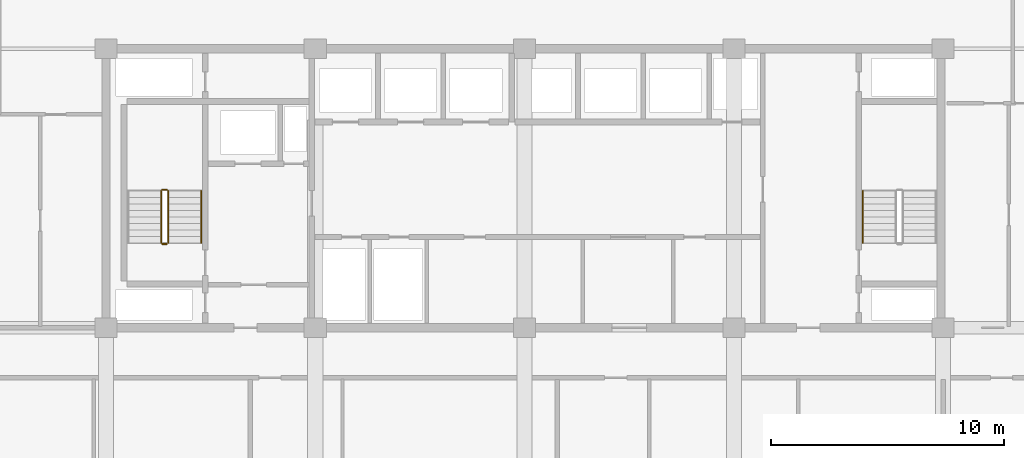
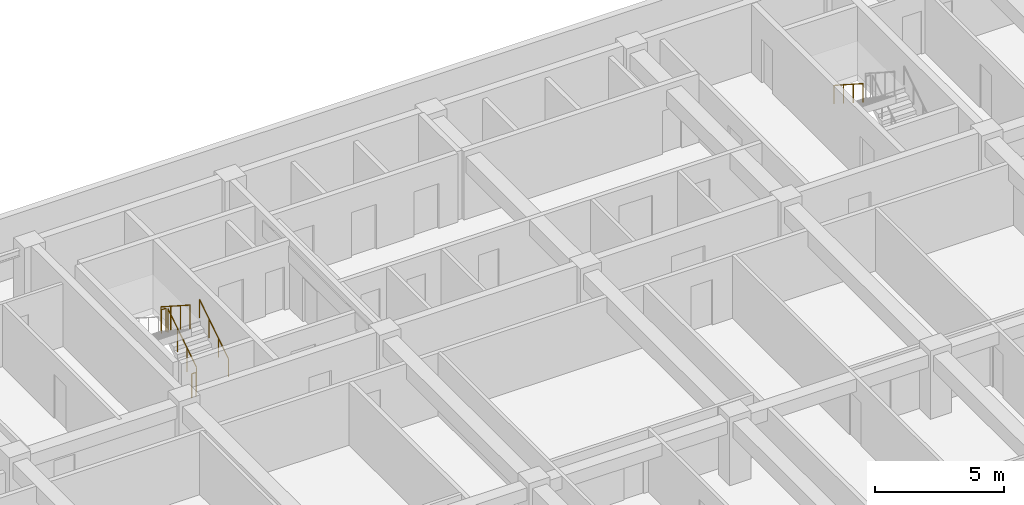
# One storey, part 20 of 23: 6 railings.
"""IFC4 building model written with IfcOpenShell, lengths in metres."""

from ifc_helpers import new_model, si_unit, direction, frame, origin, origin_2d, place, context, subcontext, project, spatial, circle, extrude, material, type_object, element, save


model = new_model("IFC4")

# Units and contexts
model_context = context("Model", 3, precision=1e-05, world=origin(), true_north=direction((0.0, 1.0)))
body_context = subcontext(model_context, "Body", "Model", "MODEL_VIEW")
ifc_project = project(units=[si_unit("LENGTHUNIT", "METRE"), si_unit("AREAUNIT", "SQUARE_METRE"), si_unit("VOLUMEUNIT", "CUBIC_METRE"), si_unit("PLANEANGLEUNIT", "RADIAN"), si_unit("MASSUNIT", "GRAM", prefix="KILO")], contexts=[model_context])

# Site, building, storey
site_placement = place(None, origin())
site = spatial("IfcSite", under=ifc_project, at=site_placement, CompositionType="ELEMENT")
building_placement = place(site_placement, origin())
building = spatial("IfcBuilding", under=site, at=building_placement, Name="Korimba Cascade Residences", CompositionType="ELEMENT")
storey_placement = place(building_placement, frame((0.0, 0.0, 72.75)))
storey = spatial("IfcBuildingStorey", under=building, at=storey_placement, Name="L20", CompositionType="ELEMENT", Elevation=72.75)

# Railings
ifc_material_1 = material(Name="Painted Steel Stairwell Guardrail", Category="steel")
railing_type_1 = type_object("IfcRailingType", Name="RLG-ST-GD1150", PredefinedType="GUARDRAIL", material=ifc_material_1)
railing_1_placement = place(storey_placement, frame((84.77001953125, 22.050048828125, 0.1806640625)))
element("IfcRailing", 1, at=railing_1_placement, inside=storey, type_object=railing_type_1, Name="L20 ST-E1 stair guard 1", PredefinedType="GUARDRAIL", context=body_context, shape_type="SweptSolid", body=[
    extrude(circle(Radius=0.02392578125, at=origin_2d()), frame((0.0, 0.0, 1.1259765625), z_axis=(0.0, 0.840436612492, 0.541909863706), x_axis=(-1.0, 0.0, 0.0)), (0.0, 0.0, 1.0), 2.665283203125),
    extrude(circle(Radius=0.02099609375, at=origin_2d()), origin(), (0.0, 0.0, 1.0), 1.101806640625),
    extrude(circle(Radius=0.02099609375, at=origin_2d()), frame((0.0, 0.74658203125, 0.4814453125)), (0.0, 0.0, 1.0), 1.101806640625),
    extrude(circle(Radius=0.02099609375, at=origin_2d()), frame((0.0, 1.493408203125, 0.962890625)), (0.0, 0.0, 1.0), 1.101806640625),
    extrude(circle(Radius=0.02099609375, at=origin_2d()), frame((0.0, 2.239990234375, 1.4443359375)), (0.0, 0.0, 1.0), 1.101806640625),
])
railing_2_placement = place(storey_placement, frame((84.719970703125, 24.340087890625, 1.625)))
element("IfcRailing", 2, at=railing_2_placement, inside=storey, type_object=railing_type_1, Name="L20 ST-E1 stair guard 2", PredefinedType="GUARDRAIL", context=body_context, shape_type="SweptSolid", body=[
    extrude(circle(Radius=0.02392578125, at=origin_2d()), frame((0.0, 0.0, 1.1259765625), z_axis=(-1.0, 0.0, 0.0), x_axis=(0.0, -1.0, 0.0)), (0.0, 0.0, 1.0), 0.199951171875),
    extrude(circle(Radius=0.02099609375, at=origin_2d()), origin(), (0.0, 0.0, 1.0), 1.101806640625),
    extrude(circle(Radius=0.02099609375, at=origin_2d()), frame((-0.199951171875, 0.0, 0.0)), (0.0, 0.0, 1.0), 1.101806640625),
])
railing_3_placement = place(storey_placement, frame((84.469970703125, 24.2900390625, 1.8056640625)))
element("IfcRailing", 3, at=railing_3_placement, inside=storey, type_object=railing_type_1, Name="L20 ST-E1 stair guard 3", PredefinedType="GUARDRAIL", context=body_context, shape_type="SweptSolid", body=[
    extrude(circle(Radius=0.02392578125, at=origin_2d()), frame((0.0, 0.0, 1.1259765625), z_axis=(0.0, -0.840436612492, 0.541909863706), x_axis=(1.0, 0.0, 0.0)), (0.0, 0.0, 1.0), 2.665283203125),
    extrude(circle(Radius=0.02099609375, at=origin_2d()), origin(), (0.0, 0.0, 1.0), 1.101806640625),
    extrude(circle(Radius=0.02099609375, at=origin_2d()), frame((0.0, -0.74658203125, 0.4814453125)), (0.0, 0.0, 1.0), 1.101806640625),
    extrude(circle(Radius=0.02099609375, at=origin_2d()), frame((0.0, -1.493408203125, 0.962890625)), (0.0, 0.0, 1.0), 1.101806640625),
    extrude(circle(Radius=0.02099609375, at=origin_2d()), frame((0.0, -2.239990234375, 1.4443359375)), (0.0, 0.0, 1.0), 1.101806640625),
])
railing_4_placement = place(storey_placement, frame((84.719970703125, 22.0, 0.0)))
element("IfcRailing", 4, at=railing_4_placement, inside=storey, type_object=railing_type_1, Name="L20 ST-E1 stair guard 4", PredefinedType="GUARDRAIL", context=body_context, shape_type="SweptSolid", body=[
    extrude(circle(Radius=0.02392578125, at=origin_2d()), frame((0.0, 0.0, 1.1259765625), z_axis=(-1.0, 0.0, 0.0), x_axis=(0.0, -1.0, 0.0)), (0.0, 0.0, 1.0), 0.199951171875),
    extrude(circle(Radius=0.02099609375, at=origin_2d()), origin(), (0.0, 0.0, 1.0), 1.101806640625),
    extrude(circle(Radius=0.02099609375, at=origin_2d()), frame((-0.199951171875, 0.0, 0.0)), (0.0, 0.0, 1.0), 1.101806640625),
])
ifc_material_2 = material(Name="Brushed Stainless Steel Handrail", Category="steel")
railing_type_2 = type_object("IfcRailingType", Name="RLG-ST-HR900", PredefinedType="HANDRAIL", material=ifc_material_2)
railing_5_placement = place(storey_placement, frame((86.18994140625, 22.050048828125, 0.364990234375)))
element("IfcRailing", 5, at=railing_5_placement, inside=storey, type_object=railing_type_2, Name="L20 ST-E1 stair handrail 1", PredefinedType="HANDRAIL", context=body_context, shape_type="SweptSolid", body=[
    extrude(circle(Radius=0.02392578125, at=origin_2d()), frame((0.0, 0.0, 0.8759765625), z_axis=(0.0, 0.840436612492, 0.541909863706), x_axis=(-1.0, 0.0, 0.0)), (0.0, 0.0, 1.0), 2.665283203125),
    extrude(circle(Radius=0.02099609375, at=origin_2d()), origin(), (0.0, 0.0, 1.0), 0.851806640625),
    extrude(circle(Radius=0.02099609375, at=origin_2d()), frame((0.0, 0.74658203125, 0.4814453125)), (0.0, 0.0, 1.0), 0.851806640625),
    extrude(circle(Radius=0.02099609375, at=origin_2d()), frame((0.0, 1.493408203125, 0.962890625)), (0.0, 0.0, 1.0), 0.851806640625),
    extrude(circle(Radius=0.02099609375, at=origin_2d()), frame((0.0, 2.239990234375, 1.4443359375)), (0.0, 0.0, 1.0), 0.851806640625),
])
railing_6_placement = place(storey_placement, frame((114.64990234375, 24.2900390625, 1.989990234375)))
element("IfcRailing", 6, at=railing_6_placement, inside=storey, type_object=railing_type_2, Name="L20 ST-E2 stair handrail 2", PredefinedType="HANDRAIL", context=body_context, shape_type="SweptSolid", body=[
    extrude(circle(Radius=0.02392578125, at=origin_2d()), frame((0.0, 0.0, 0.8759765625), z_axis=(0.0, -0.840436612492, 0.541909863706), x_axis=(1.0, 0.0, 0.0)), (0.0, 0.0, 1.0), 2.665283203125),
    extrude(circle(Radius=0.02099609375, at=origin_2d()), origin(), (0.0, 0.0, 1.0), 0.851806640625),
    extrude(circle(Radius=0.02099609375, at=origin_2d()), frame((0.0, -0.74658203125, 0.4814453125)), (0.0, 0.0, 1.0), 0.851806640625),
    extrude(circle(Radius=0.02099609375, at=origin_2d()), frame((0.0, -1.493408203125, 0.962890625)), (0.0, 0.0, 1.0), 0.851806640625),
    extrude(circle(Radius=0.02099609375, at=origin_2d()), frame((0.0, -2.239990234375, 1.4443359375)), (0.0, 0.0, 1.0), 0.851806640625),
])

save(model, "model.ifc")
